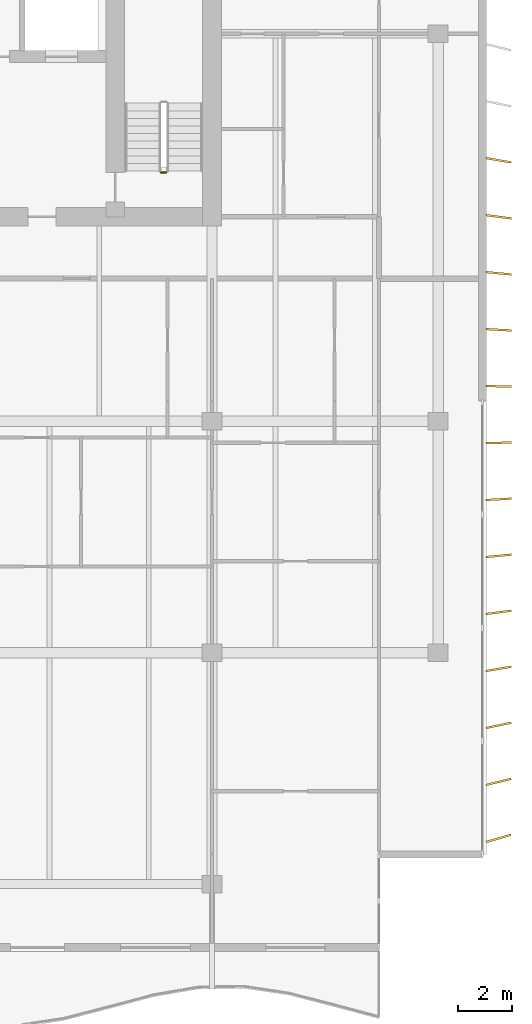
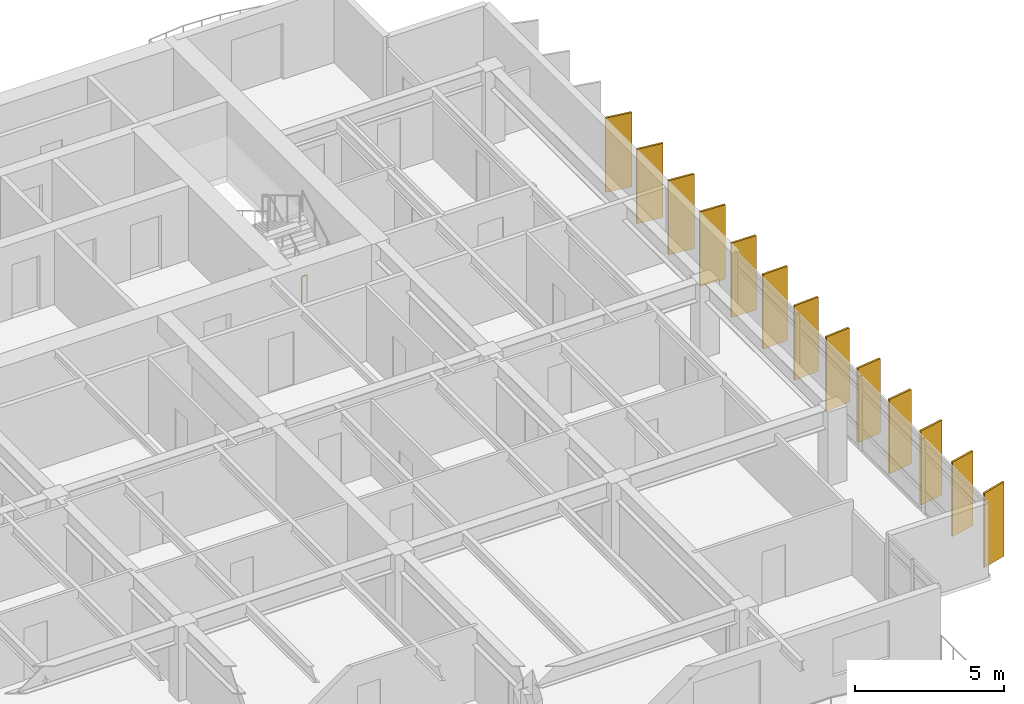
# One storey, part 14 of 16: 13 shading devices, 1 railing.
"""IFC4 building model written with IfcOpenShell, lengths in metres."""

from ifc_helpers import new_model, si_unit, direction, frame, origin, origin_2d, place, context, subcontext, project, spatial, rectangle, circle, extrude, material, material_profile, profile_set, type_object, element, save


model = new_model("IFC4")

# Units and contexts
model_context = context("Model", 3, precision=1e-05, world=origin(), true_north=direction((0.0, 1.0)))
body_context = subcontext(model_context, "Body", "Model", "MODEL_VIEW")
ifc_project = project(units=[si_unit("LENGTHUNIT", "METRE"), si_unit("AREAUNIT", "SQUARE_METRE"), si_unit("VOLUMEUNIT", "CUBIC_METRE"), si_unit("PLANEANGLEUNIT", "RADIAN"), si_unit("MASSUNIT", "GRAM", prefix="KILO")], contexts=[model_context])

# Site, building, storey
site_placement = place(None, origin())
site = spatial("IfcSite", under=ifc_project, at=site_placement, CompositionType="ELEMENT")
building_placement = place(site_placement, origin())
building = spatial("IfcBuilding", under=site, at=building_placement, Name="Caelmar Bay Residences", CompositionType="ELEMENT")
storey_placement = place(building_placement, frame((0.0, 0.0, 249.60009765625)))
storey = spatial("IfcBuildingStorey", under=building, at=storey_placement, Name="L70", CompositionType="ELEMENT", Elevation=249.60009765625)

# Railing
ifc_material_1 = material(Name="Painted galvanized steel stair guard 1100 mm", Category="steel")
railing_type = type_object("IfcRailingType", Name="RL-GRD-1100", PredefinedType="GUARDRAIL", material=ifc_material_1)
railing_placement = place(storey_placement, frame((57.800048828125, 38.64990234375, 0.0)))
element("IfcRailing", 1, at=railing_placement, inside=storey, type_object=railing_type, Name="L70 ST2 stair guard 4", PredefinedType="GUARDRAIL", context=body_context, shape_type="SweptSolid", body=[
    extrude(circle(Radius=0.02392578125, at=origin_2d()), frame((0.0, 0.0, 1.076171875), z_axis=(-1.0, 0.0, 0.0), x_axis=(0.0, -1.0, 0.0)), (0.0, 0.0, 1.0), 0.199951171875),
    extrude(circle(Radius=0.02099609375, at=origin_2d()), origin(), (0.0, 0.0, 1.0), 1.052001953125),
    extrude(circle(Radius=0.02099609375, at=origin_2d()), frame((-0.199951171875, 0.0, 0.0)), (0.0, 0.0, 1.0), 1.052001953125),
])

# Shading devices
ifc_material_2 = material(Name="Anodised architectural bronze aluminium 6063-T6", Category="aluminium")
ifc_material_profile = material_profile(ifc_material_2, rectangle(XDim=0.074951171875, YDim=0.949951171875, at=origin_2d()), Name="BRONZE-FIN-75X950")
ifc_profile_set = profile_set([ifc_material_profile], Name="Anodised architectural bronze aluminium 6063-T6")
shading_device_type = type_object("IfcShadingDeviceType", Name="SHD-FIN-950", PredefinedType="USERDEFINED", material=ifc_profile_set)
for number, where, z_axis, x_axis, name in (
    (2, (70.14990234375, 13.89990234375, 0.0), (0.0, 0.0, 1.0), (-0.275637355817, 0.961261695938, 0.0), "L70 East Bronze Solar Fin 1"),
    (3, (70.14990234375, 16.0, 0.0), (0.0, 0.0, 1.0), (-0.239719743609, 0.970842131618, 0.0), "L70 East Bronze Solar Fin 2"),
    (4, (70.14990234375, 18.10009765625, 0.0), (0.0, 0.0, 1.0), (-0.2032999874, 0.979116497217, 0.0), "L70 East Bronze Solar Fin 3"),
    (5, (70.14990234375, 20.199951171875, 0.0), (0.0, 0.0, 1.0), (-0.166768746716, 0.985996037071, 0.0), "L70 East Bronze Solar Fin 4"),
    (6, (70.14990234375, 22.300048828125, 0.0), (0.0, 0.0, 1.0), (-0.130007055036, 0.99151306882, 0.0), "L70 East Bronze Solar Fin 5"),
    (7, (70.14990234375, 24.39990234375, 0.0), (0.0, 0.0, 1.0), (-0.092891934994, 0.995676196569, 0.0), "L70 East Bronze Solar Fin 6"),
    (8, (70.14990234375, 26.5, 0.0), (0.0, 0.0, 1.0), (-0.055821504993, 0.998440764182, 0.0), "L70 East Bronze Solar Fin 7"),
    (9, (70.14990234375, 28.60009765625, 0.0), (0.0, 0.0, 1.0), (-0.018673937509, 0.999825626826, 0.0), "L70 East Bronze Solar Fin 8"),
    (10, (70.14990234375, 30.699951171875, 0.0), (0.0, 0.0, 1.0), (0.018673937509, 0.999825626826, 0.0), "L70 East Bronze Solar Fin 9"),
    (11, (70.14990234375, 32.800048828125, 0.0), (0.0, 0.0, 1.0), (0.055821504993, 0.998440764182, 0.0), "L70 East Bronze Solar Fin 10"),
    (12, (70.14990234375, 34.89990234375, 0.0), (0.0, 0.0, 1.0), (0.092891934994, 0.995676196569, 0.0), "L70 East Bronze Solar Fin 11"),
    (13, (70.14990234375, 37.0, 0.0), (0.0, 0.0, 1.0), (0.130007055036, 0.99151306882, 0.0), "L70 East Bronze Solar Fin 12"),
    (14, (70.14990234375, 39.10009765625, 0.0), (0.0, 0.0, 1.0), (0.166768746716, 0.985996037071, 0.0), "L70 East Bronze Solar Fin 13"),
):
    element("IfcShadingDevice", number, at=place(storey_placement, frame(where, z_axis=z_axis, x_axis=x_axis)), inside=storey, type_object=shading_device_type, Name=name, ObjectType="FIN", PredefinedType="USERDEFINED", context=body_context, shape_type="SweptSolid", body=[
        extrude(rectangle(XDim=0.074951171875, YDim=0.949951171875, at=origin_2d()), origin(), (0.0, 0.0, 1.0), 3.0498046875),
    ])

save(model, "model.ifc")
